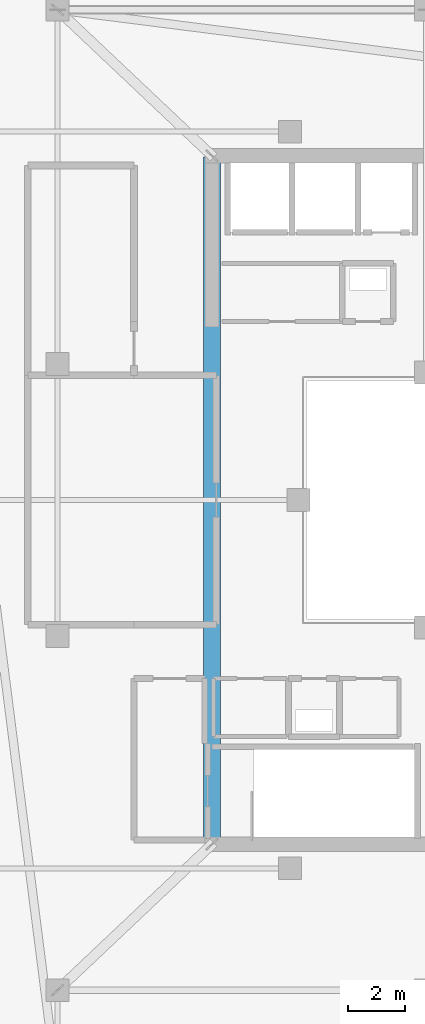
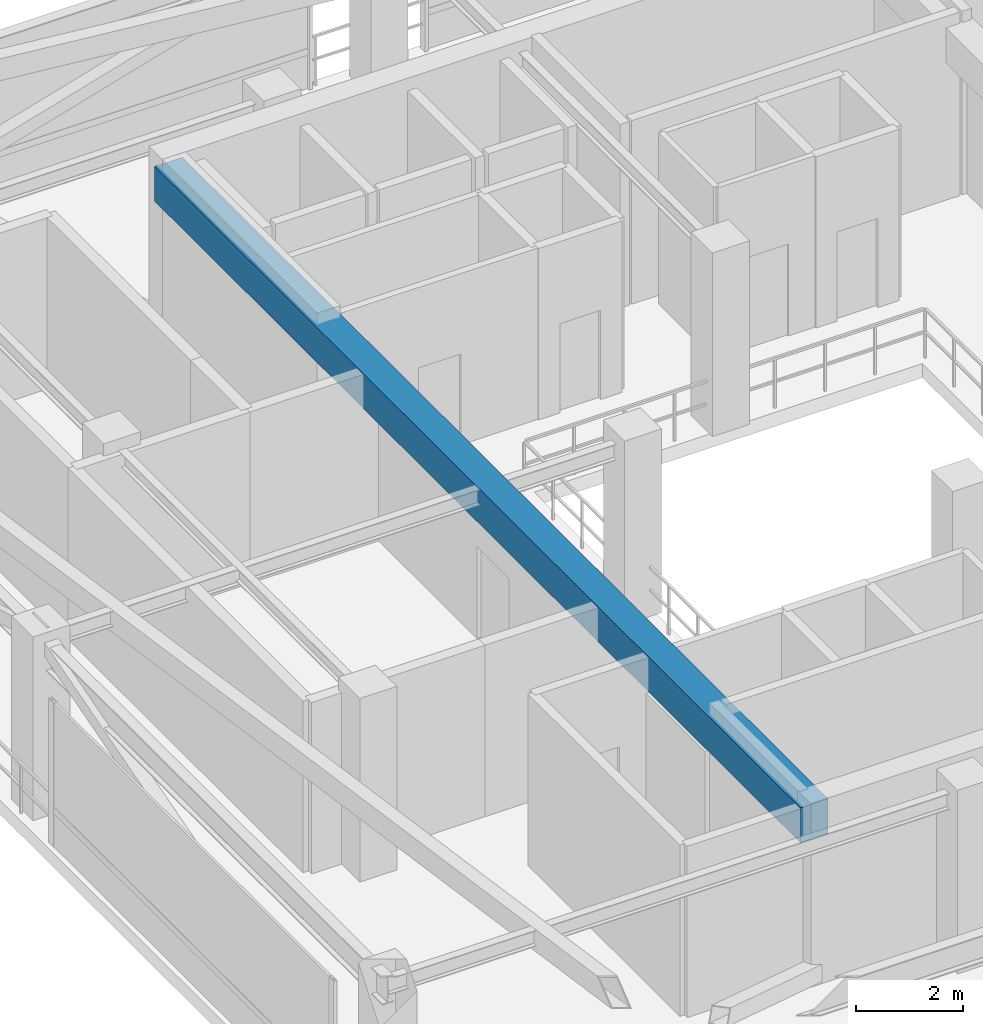
# One storey, part 11 of 47: 1 beam.
"""IFC4 building model written with IfcOpenShell, lengths in metres."""

from ifc_helpers import new_model, si_unit, direction, frame, origin, origin_2d, place, context, subcontext, project, spatial, rectangle, extrude, material, material_profile, profile_set, type_object, element, save


model = new_model("IFC4")

# Units and contexts
model_context = context("Model", 3, precision=1e-05, world=origin(), true_north=direction((0.0, 1.0)))
body_context = subcontext(model_context, "Body", "Model", "MODEL_VIEW")
ifc_project = project(units=[si_unit("LENGTHUNIT", "METRE"), si_unit("AREAUNIT", "SQUARE_METRE"), si_unit("VOLUMEUNIT", "CUBIC_METRE"), si_unit("PLANEANGLEUNIT", "RADIAN"), si_unit("MASSUNIT", "GRAM", prefix="KILO")], contexts=[model_context])

# Site, building, storey
site_placement = place(None, origin())
site = spatial("IfcSite", under=ifc_project, at=site_placement, CompositionType="ELEMENT")
building_placement = place(site_placement, origin())
building = spatial("IfcBuilding", under=site, at=building_placement, Name="Thornwick Lancets Civic Towers", CompositionType="ELEMENT")
storey_placement = place(building_placement, frame((0.0, 0.0, 279.89990234375)))
storey = spatial("IfcBuildingStorey", under=building, at=storey_placement, Name="C01", CompositionType="ELEMENT", Elevation=279.89990234375)

# Beam
ifc_material = material(Name="Concrete C60/75", Category="concrete")
ifc_material_profile = material_profile(ifc_material, rectangle(XDim=0.60009765625, YDim=0.800048828125, at=origin_2d()), Name="RC 600x800")
ifc_profile_set = profile_set([ifc_material_profile], Name="Concrete C60/75")
beam_type = type_object("IfcBeamType", Name="BM_COUP_RC800", PredefinedType="BEAM", material=ifc_profile_set)
beam_placement = place(storey_placement, frame((17.949951171875, 14.89990234375, 3.5400390625), z_axis=(0.0, 1.0, 0.0), x_axis=(-1.0, 0.0, 0.0)))
element("IfcBeam", 1, at=beam_placement, inside=storey, type_object=beam_type, Name="CB-C01-A2", PredefinedType="BEAM", context=body_context, shape_type="SweptSolid", body=[
    extrude(rectangle(XDim=0.60009765625, YDim=0.800048828125, at=origin_2d()), origin(), (0.0, 0.0, 1.0), 24.2001953125),
])

save(model, "model.ifc")
